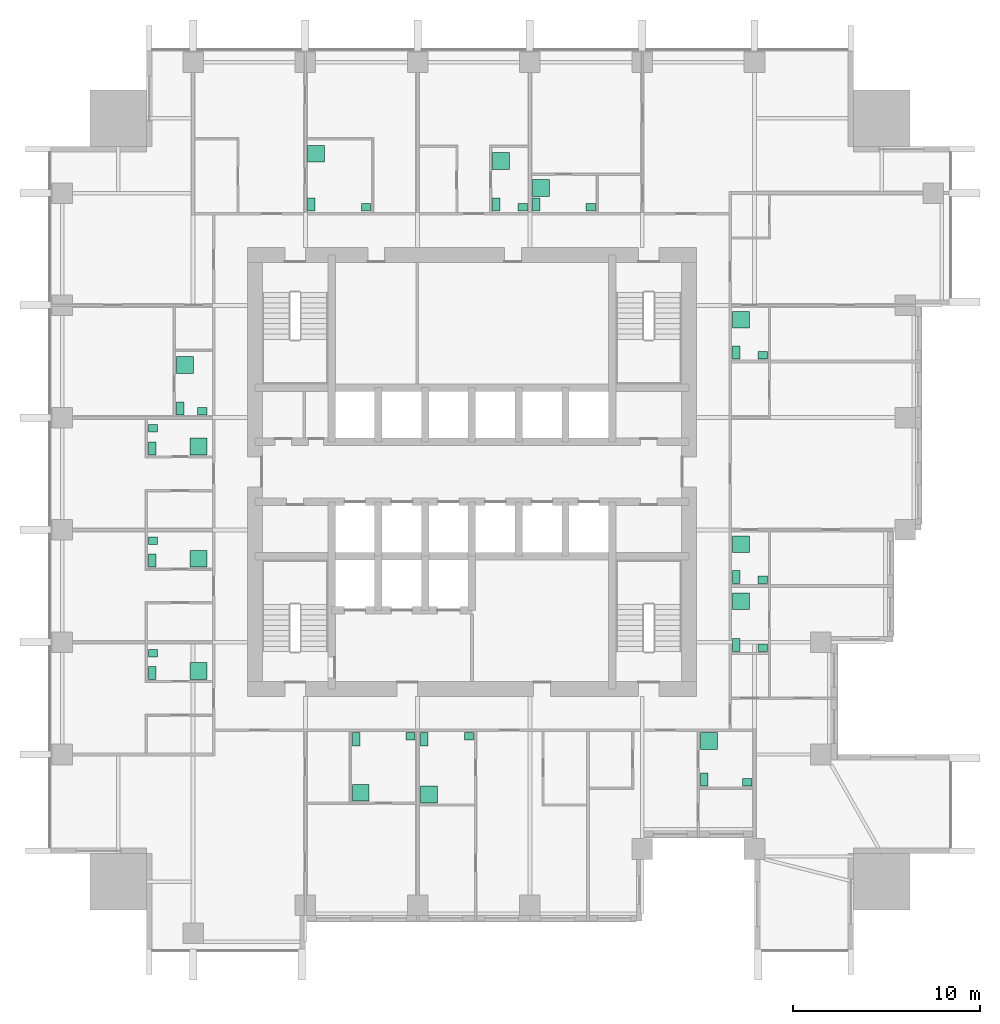
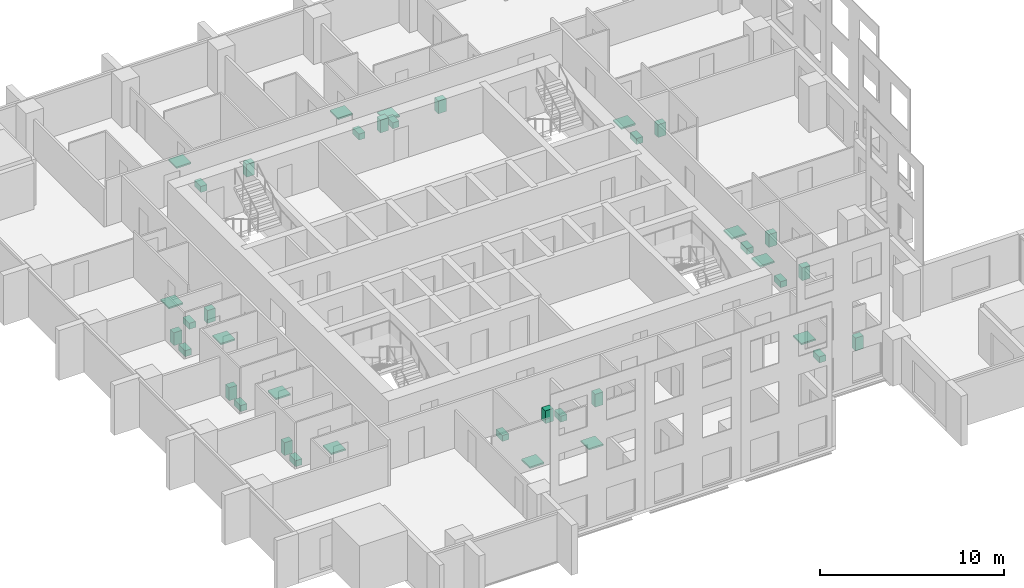
# One storey, part 11 of 11: 39 sanitary terminals.
"""IFC4 building model written with IfcOpenShell, lengths in metres."""

from ifc_helpers import new_model, si_unit, direction, frame, origin, origin_2d, place, context, subcontext, project, spatial, rectangle, extrude, element, save


model = new_model("IFC4")

# Units and contexts
model_context = context("Model", 3, precision=1e-05, world=origin(), true_north=direction((0.0, 1.0)))
body_context = subcontext(model_context, "Body", "Model", "MODEL_VIEW")
ifc_project = project(units=[si_unit("LENGTHUNIT", "METRE"), si_unit("AREAUNIT", "SQUARE_METRE"), si_unit("VOLUMEUNIT", "CUBIC_METRE"), si_unit("PLANEANGLEUNIT", "RADIAN"), si_unit("MASSUNIT", "GRAM", prefix="KILO")], contexts=[model_context])

# Site, building, storey
site_placement = place(None, origin())
site = spatial("IfcSite", under=ifc_project, at=site_placement, CompositionType="ELEMENT")
building_placement = place(site_placement, origin())
building = spatial("IfcBuilding", under=site, at=building_placement, Name="Amberfall Residences", CompositionType="ELEMENT")
storey_placement = place(building_placement, frame((0.0, 0.0, 98.5)))
storey = spatial("IfcBuildingStorey", under=building, at=storey_placement, Name="L26", CompositionType="ELEMENT", Elevation=98.5)

# Sanitary terminals
sanitary_terminal_1_placement = place(storey_placement, frame((68.31005859375, 31.215087890625, 0.0), z_axis=(0.0, 0.0, 1.0), x_axis=(1.0, 0.0, 0.0)))
element("IfcSanitaryTerminal", 1, at=sanitary_terminal_1_placement, inside=storey, Name="Water closet 2601", PredefinedType="TOILETPAN", context=body_context, shape_type="SweptSolid", body=[
    extrude(rectangle(XDim=0.39990234375, YDim=0.699951171875, at=origin_2d()), origin(), (0.0, 0.0, 1.0), 0.39990234375),
])
sanitary_terminal_2_placement = place(storey_placement, frame((71.215087890625, 31.364990234375, 0.0), z_axis=(0.0, 0.0, 1.0), x_axis=(1.0, 0.0, 0.0)))
element("IfcSanitaryTerminal", 2, at=sanitary_terminal_2_placement, inside=storey, Name="Basin 2601", PredefinedType="WASHHANDBASIN", context=body_context, shape_type="SweptSolid", body=[
    extrude(rectangle(XDim=0.5, YDim=0.39990234375, at=origin_2d()), origin(), (0.0, 0.0, 1.0), 0.85009765625),
])
sanitary_terminal_3_placement = place(storey_placement, frame((68.56005859375, 28.360107421875, 0.0), z_axis=(0.0, 0.0, 1.0), x_axis=(1.0, 0.0, 0.0)))
element("IfcSanitaryTerminal", 3, at=sanitary_terminal_3_placement, inside=storey, Name="Shower tray 2601", PredefinedType="SHOWER", context=body_context, shape_type="SweptSolid", body=[
    extrude(rectangle(XDim=0.89990234375, YDim=0.89990234375, at=origin_2d()), origin(), (0.0, 0.0, 1.0), 0.10009765625),
])
sanitary_terminal_4_placement = place(storey_placement, frame((71.9599609375, 31.215087890625, 0.0), z_axis=(0.0, 0.0, 1.0), x_axis=(1.0, 0.0, 0.0)))
element("IfcSanitaryTerminal", 4, at=sanitary_terminal_4_placement, inside=storey, Name="Water closet 2602", PredefinedType="TOILETPAN", context=body_context, shape_type="SweptSolid", body=[
    extrude(rectangle(XDim=0.39990234375, YDim=0.699951171875, at=origin_2d()), origin(), (0.0, 0.0, 1.0), 0.39990234375),
])
sanitary_terminal_5_placement = place(storey_placement, frame((74.340087890625, 31.364990234375, 0.0), z_axis=(0.0, 0.0, 1.0), x_axis=(1.0, 0.0, 0.0)))
element("IfcSanitaryTerminal", 5, at=sanitary_terminal_5_placement, inside=storey, Name="Basin 2602", PredefinedType="WASHHANDBASIN", context=body_context, shape_type="SweptSolid", body=[
    extrude(rectangle(XDim=0.5, YDim=0.39990234375, at=origin_2d()), origin(), (0.0, 0.0, 1.0), 0.85009765625),
])
sanitary_terminal_6_placement = place(storey_placement, frame((72.2099609375, 28.260009765625, 0.0), z_axis=(0.0, 0.0, 1.0), x_axis=(1.0, 0.0, 0.0)))
element("IfcSanitaryTerminal", 6, at=sanitary_terminal_6_placement, inside=storey, Name="Shower tray 2602", PredefinedType="SHOWER", context=body_context, shape_type="SweptSolid", body=[
    extrude(rectangle(XDim=0.89990234375, YDim=0.89990234375, at=origin_2d()), origin(), (0.0, 0.0, 1.0), 0.10009765625),
])
sanitary_terminal_7_placement = place(storey_placement, frame((86.909912109375, 29.06005859375, 0.0), z_axis=(0.0, 0.0, 1.0), x_axis=(1.0, 0.0, 0.0)))
element("IfcSanitaryTerminal", 7, at=sanitary_terminal_7_placement, inside=storey, Name="Water closet 2603", PredefinedType="TOILETPAN", context=body_context, shape_type="SweptSolid", body=[
    extrude(rectangle(XDim=0.39990234375, YDim=0.699951171875, at=origin_2d()), origin(), (0.0, 0.0, 1.0), 0.39990234375),
])
sanitary_terminal_8_placement = place(storey_placement, frame((89.215087890625, 28.909912109375, 0.0), z_axis=(0.0, 0.0, 1.0), x_axis=(1.0, 0.0, 0.0)))
element("IfcSanitaryTerminal", 8, at=sanitary_terminal_8_placement, inside=storey, Name="Basin 2603", PredefinedType="WASHHANDBASIN", context=body_context, shape_type="SweptSolid", body=[
    extrude(rectangle(XDim=0.5, YDim=0.39990234375, at=origin_2d()), origin(), (0.0, 0.0, 1.0), 0.85009765625),
])
sanitary_terminal_9_placement = place(storey_placement, frame((87.159912109375, 31.114990234375, 0.0), z_axis=(0.0, 0.0, 1.0), x_axis=(1.0, 0.0, 0.0)))
element("IfcSanitaryTerminal", 9, at=sanitary_terminal_9_placement, inside=storey, Name="Shower tray 2603", PredefinedType="SHOWER", context=body_context, shape_type="SweptSolid", body=[
    extrude(rectangle(XDim=0.89990234375, YDim=0.89990234375, at=origin_2d()), origin(), (0.0, 0.0, 1.0), 0.10009765625),
])
sanitary_terminal_10_placement = place(storey_placement, frame((88.635009765625, 36.260009765625, 0.0), z_axis=(0.0, 0.0, 1.0), x_axis=(1.0, 0.0, 0.0)))
element("IfcSanitaryTerminal", 10, at=sanitary_terminal_10_placement, inside=storey, Name="Water closet 2604", PredefinedType="TOILETPAN", context=body_context, shape_type="SweptSolid", body=[
    extrude(rectangle(XDim=0.39990234375, YDim=0.699951171875, at=origin_2d()), origin(), (0.0, 0.0, 1.0), 0.39990234375),
])
sanitary_terminal_11_placement = place(storey_placement, frame((90.0400390625, 36.110107421875, 0.0), z_axis=(0.0, 0.0, 1.0), x_axis=(1.0, 0.0, 0.0)))
element("IfcSanitaryTerminal", 11, at=sanitary_terminal_11_placement, inside=storey, Name="Basin 2604", PredefinedType="WASHHANDBASIN", context=body_context, shape_type="SweptSolid", body=[
    extrude(rectangle(XDim=0.5, YDim=0.39990234375, at=origin_2d()), origin(), (0.0, 0.0, 1.0), 0.85009765625),
])
sanitary_terminal_12_placement = place(storey_placement, frame((88.885009765625, 38.591796875, 0.0), z_axis=(0.0, 0.0, 1.0), x_axis=(1.0, 0.0, 0.0)))
element("IfcSanitaryTerminal", 12, at=sanitary_terminal_12_placement, inside=storey, Name="Shower tray 2604", PredefinedType="SHOWER", context=body_context, shape_type="SweptSolid", body=[
    extrude(rectangle(XDim=0.89990234375, YDim=0.89990234375, at=origin_2d()), origin(), (0.0, 0.0, 1.0), 0.10009765625),
])
sanitary_terminal_13_placement = place(storey_placement, frame((88.635009765625, 39.885009765625, 0.0), z_axis=(0.0, 0.0, 1.0), x_axis=(1.0, 0.0, 0.0)))
element("IfcSanitaryTerminal", 13, at=sanitary_terminal_13_placement, inside=storey, Name="Water closet 2605", PredefinedType="TOILETPAN", context=body_context, shape_type="SweptSolid", body=[
    extrude(rectangle(XDim=0.39990234375, YDim=0.699951171875, at=origin_2d()), origin(), (0.0, 0.0, 1.0), 0.39990234375),
])
sanitary_terminal_14_placement = place(storey_placement, frame((90.0400390625, 39.735107421875, 0.0), z_axis=(0.0, 0.0, 1.0), x_axis=(1.0, 0.0, 0.0)))
element("IfcSanitaryTerminal", 14, at=sanitary_terminal_14_placement, inside=storey, Name="Basin 2605", PredefinedType="WASHHANDBASIN", context=body_context, shape_type="SweptSolid", body=[
    extrude(rectangle(XDim=0.5, YDim=0.39990234375, at=origin_2d()), origin(), (0.0, 0.0, 1.0), 0.85009765625),
])
sanitary_terminal_15_placement = place(storey_placement, frame((88.885009765625, 41.6337890625, 0.0), z_axis=(0.0, 0.0, 1.0), x_axis=(1.0, 0.0, 0.0)))
element("IfcSanitaryTerminal", 15, at=sanitary_terminal_15_placement, inside=storey, Name="Shower tray 2605", PredefinedType="SHOWER", context=body_context, shape_type="SweptSolid", body=[
    extrude(rectangle(XDim=0.89990234375, YDim=0.89990234375, at=origin_2d()), origin(), (0.0, 0.0, 1.0), 0.10009765625),
])
sanitary_terminal_16_placement = place(storey_placement, frame((88.635009765625, 51.885009765625, 0.0), z_axis=(0.0, 0.0, 1.0), x_axis=(1.0, 0.0, 0.0)))
element("IfcSanitaryTerminal", 16, at=sanitary_terminal_16_placement, inside=storey, Name="Water closet 2606", PredefinedType="TOILETPAN", context=body_context, shape_type="SweptSolid", body=[
    extrude(rectangle(XDim=0.39990234375, YDim=0.699951171875, at=origin_2d()), origin(), (0.0, 0.0, 1.0), 0.39990234375),
])
sanitary_terminal_17_placement = place(storey_placement, frame((90.0400390625, 51.735107421875, 0.0), z_axis=(0.0, 0.0, 1.0), x_axis=(1.0, 0.0, 0.0)))
element("IfcSanitaryTerminal", 17, at=sanitary_terminal_17_placement, inside=storey, Name="Basin 2606", PredefinedType="WASHHANDBASIN", context=body_context, shape_type="SweptSolid", body=[
    extrude(rectangle(XDim=0.5, YDim=0.39990234375, at=origin_2d()), origin(), (0.0, 0.0, 1.0), 0.85009765625),
])
sanitary_terminal_18_placement = place(storey_placement, frame((88.885009765625, 53.6337890625, 0.0), z_axis=(0.0, 0.0, 1.0), x_axis=(1.0, 0.0, 0.0)))
element("IfcSanitaryTerminal", 18, at=sanitary_terminal_18_placement, inside=storey, Name="Shower tray 2606", PredefinedType="SHOWER", context=body_context, shape_type="SweptSolid", body=[
    extrude(rectangle(XDim=0.89990234375, YDim=0.89990234375, at=origin_2d()), origin(), (0.0, 0.0, 1.0), 0.10009765625),
])
sanitary_terminal_19_placement = place(storey_placement, frame((65.909912109375, 59.784912109375, 0.0), z_axis=(0.0, 0.0, 1.0), x_axis=(1.0, 0.0, 0.0)))
element("IfcSanitaryTerminal", 19, at=sanitary_terminal_19_placement, inside=storey, Name="Water closet 2607", PredefinedType="TOILETPAN", context=body_context, shape_type="SweptSolid", body=[
    extrude(rectangle(XDim=0.39990234375, YDim=0.699951171875, at=origin_2d()), origin(), (0.0, 0.0, 1.0), 0.39990234375),
])
sanitary_terminal_20_placement = place(storey_placement, frame((68.840087890625, 59.635009765625, 0.0), z_axis=(0.0, 0.0, 1.0), x_axis=(1.0, 0.0, 0.0)))
element("IfcSanitaryTerminal", 20, at=sanitary_terminal_20_placement, inside=storey, Name="Basin 2607", PredefinedType="WASHHANDBASIN", context=body_context, shape_type="SweptSolid", body=[
    extrude(rectangle(XDim=0.5, YDim=0.39990234375, at=origin_2d()), origin(), (0.0, 0.0, 1.0), 0.85009765625),
])
sanitary_terminal_21_placement = place(storey_placement, frame((66.159912109375, 62.502197265625, 0.0), z_axis=(0.0, 0.0, 1.0), x_axis=(1.0, 0.0, 0.0)))
element("IfcSanitaryTerminal", 21, at=sanitary_terminal_21_placement, inside=storey, Name="Shower tray 2607", PredefinedType="SHOWER", context=body_context, shape_type="SweptSolid", body=[
    extrude(rectangle(XDim=0.89990234375, YDim=0.89990234375, at=origin_2d()), origin(), (0.0, 0.0, 1.0), 0.10009765625),
])
sanitary_terminal_22_placement = place(storey_placement, frame((75.81005859375, 59.784912109375, 0.0), z_axis=(0.0, 0.0, 1.0), x_axis=(1.0, 0.0, 0.0)))
element("IfcSanitaryTerminal", 22, at=sanitary_terminal_22_placement, inside=storey, Name="Water closet 2608", PredefinedType="TOILETPAN", context=body_context, shape_type="SweptSolid", body=[
    extrude(rectangle(XDim=0.39990234375, YDim=0.699951171875, at=origin_2d()), origin(), (0.0, 0.0, 1.0), 0.39990234375),
])
sanitary_terminal_23_placement = place(storey_placement, frame((77.215087890625, 59.635009765625, 0.0), z_axis=(0.0, 0.0, 1.0), x_axis=(1.0, 0.0, 0.0)))
element("IfcSanitaryTerminal", 23, at=sanitary_terminal_23_placement, inside=storey, Name="Basin 2608", PredefinedType="WASHHANDBASIN", context=body_context, shape_type="SweptSolid", body=[
    extrude(rectangle(XDim=0.5, YDim=0.39990234375, at=origin_2d()), origin(), (0.0, 0.0, 1.0), 0.85009765625),
])
sanitary_terminal_24_placement = place(storey_placement, frame((76.06005859375, 62.11669921875, 0.0), z_axis=(0.0, 0.0, 1.0), x_axis=(1.0, 0.0, 0.0)))
element("IfcSanitaryTerminal", 24, at=sanitary_terminal_24_placement, inside=storey, Name="Shower tray 2608", PredefinedType="SHOWER", context=body_context, shape_type="SweptSolid", body=[
    extrude(rectangle(XDim=0.89990234375, YDim=0.89990234375, at=origin_2d()), origin(), (0.0, 0.0, 1.0), 0.10009765625),
])
sanitary_terminal_25_placement = place(storey_placement, frame((77.93505859375, 59.784912109375, 0.0), z_axis=(0.0, 0.0, 1.0), x_axis=(1.0, 0.0, 0.0)))
element("IfcSanitaryTerminal", 25, at=sanitary_terminal_25_placement, inside=storey, Name="Water closet 2609", PredefinedType="TOILETPAN", context=body_context, shape_type="SweptSolid", body=[
    extrude(rectangle(XDim=0.39990234375, YDim=0.699951171875, at=origin_2d()), origin(), (0.0, 0.0, 1.0), 0.39990234375),
])
sanitary_terminal_26_placement = place(storey_placement, frame((80.840087890625, 59.635009765625, 0.0), z_axis=(0.0, 0.0, 1.0), x_axis=(1.0, 0.0, 0.0)))
element("IfcSanitaryTerminal", 26, at=sanitary_terminal_26_placement, inside=storey, Name="Basin 2609", PredefinedType="WASHHANDBASIN", context=body_context, shape_type="SweptSolid", body=[
    extrude(rectangle(XDim=0.5, YDim=0.39990234375, at=origin_2d()), origin(), (0.0, 0.0, 1.0), 0.85009765625),
])
sanitary_terminal_27_placement = place(storey_placement, frame((78.18505859375, 60.680908203125, 0.0), z_axis=(0.0, 0.0, 1.0), x_axis=(1.0, 0.0, 0.0)))
element("IfcSanitaryTerminal", 27, at=sanitary_terminal_27_placement, inside=storey, Name="Shower tray 2609", PredefinedType="SHOWER", context=body_context, shape_type="SweptSolid", body=[
    extrude(rectangle(XDim=0.89990234375, YDim=0.89990234375, at=origin_2d()), origin(), (0.0, 0.0, 1.0), 0.10009765625),
])
sanitary_terminal_28_placement = place(storey_placement, frame((57.409912109375, 34.760009765625, 0.0), z_axis=(0.0, 0.0, 1.0), x_axis=(1.0, 0.0, 0.0)))
element("IfcSanitaryTerminal", 28, at=sanitary_terminal_28_placement, inside=storey, Name="Water closet 2610", PredefinedType="TOILETPAN", context=body_context, shape_type="SweptSolid", body=[
    extrude(rectangle(XDim=0.39990234375, YDim=0.699951171875, at=origin_2d()), origin(), (0.0, 0.0, 1.0), 0.39990234375),
])
sanitary_terminal_29_placement = place(storey_placement, frame((57.4599609375, 35.822509765625, 0.0), z_axis=(0.0, 0.0, 1.0), x_axis=(1.0, 0.0, 0.0)))
element("IfcSanitaryTerminal", 29, at=sanitary_terminal_29_placement, inside=storey, Name="Basin 2610", PredefinedType="WASHHANDBASIN", context=body_context, shape_type="SweptSolid", body=[
    extrude(rectangle(XDim=0.5, YDim=0.39990234375, at=origin_2d()), origin(), (0.0, 0.0, 1.0), 0.85009765625),
])
sanitary_terminal_30_placement = place(storey_placement, frame((59.891845703125, 34.860107421875, 0.0), z_axis=(0.0, 0.0, 1.0), x_axis=(1.0, 0.0, 0.0)))
element("IfcSanitaryTerminal", 30, at=sanitary_terminal_30_placement, inside=storey, Name="Shower tray 2610", PredefinedType="SHOWER", context=body_context, shape_type="SweptSolid", body=[
    extrude(rectangle(XDim=0.89990234375, YDim=0.89990234375, at=origin_2d()), origin(), (0.0, 0.0, 1.0), 0.10009765625),
])
sanitary_terminal_31_placement = place(storey_placement, frame((57.409912109375, 40.760009765625, 0.0), z_axis=(0.0, 0.0, 1.0), x_axis=(1.0, 0.0, 0.0)))
element("IfcSanitaryTerminal", 31, at=sanitary_terminal_31_placement, inside=storey, Name="Water closet 2611", PredefinedType="TOILETPAN", context=body_context, shape_type="SweptSolid", body=[
    extrude(rectangle(XDim=0.39990234375, YDim=0.699951171875, at=origin_2d()), origin(), (0.0, 0.0, 1.0), 0.39990234375),
])
sanitary_terminal_32_placement = place(storey_placement, frame((57.4599609375, 41.822509765625, 0.0), z_axis=(0.0, 0.0, 1.0), x_axis=(1.0, 0.0, 0.0)))
element("IfcSanitaryTerminal", 32, at=sanitary_terminal_32_placement, inside=storey, Name="Basin 2611", PredefinedType="WASHHANDBASIN", context=body_context, shape_type="SweptSolid", body=[
    extrude(rectangle(XDim=0.5, YDim=0.39990234375, at=origin_2d()), origin(), (0.0, 0.0, 1.0), 0.85009765625),
])
sanitary_terminal_33_placement = place(storey_placement, frame((59.891845703125, 40.860107421875, 0.0), z_axis=(0.0, 0.0, 1.0), x_axis=(1.0, 0.0, 0.0)))
element("IfcSanitaryTerminal", 33, at=sanitary_terminal_33_placement, inside=storey, Name="Shower tray 2611", PredefinedType="SHOWER", context=body_context, shape_type="SweptSolid", body=[
    extrude(rectangle(XDim=0.89990234375, YDim=0.89990234375, at=origin_2d()), origin(), (0.0, 0.0, 1.0), 0.10009765625),
])
sanitary_terminal_34_placement = place(storey_placement, frame((57.409912109375, 46.760009765625, 0.0), z_axis=(0.0, 0.0, 1.0), x_axis=(1.0, 0.0, 0.0)))
element("IfcSanitaryTerminal", 34, at=sanitary_terminal_34_placement, inside=storey, Name="Water closet 2612", PredefinedType="TOILETPAN", context=body_context, shape_type="SweptSolid", body=[
    extrude(rectangle(XDim=0.39990234375, YDim=0.699951171875, at=origin_2d()), origin(), (0.0, 0.0, 1.0), 0.39990234375),
])
sanitary_terminal_35_placement = place(storey_placement, frame((57.4599609375, 47.822509765625, 0.0), z_axis=(0.0, 0.0, 1.0), x_axis=(1.0, 0.0, 0.0)))
element("IfcSanitaryTerminal", 35, at=sanitary_terminal_35_placement, inside=storey, Name="Basin 2612", PredefinedType="WASHHANDBASIN", context=body_context, shape_type="SweptSolid", body=[
    extrude(rectangle(XDim=0.5, YDim=0.39990234375, at=origin_2d()), origin(), (0.0, 0.0, 1.0), 0.85009765625),
])
sanitary_terminal_36_placement = place(storey_placement, frame((59.891845703125, 46.860107421875, 0.0), z_axis=(0.0, 0.0, 1.0), x_axis=(1.0, 0.0, 0.0)))
element("IfcSanitaryTerminal", 36, at=sanitary_terminal_36_placement, inside=storey, Name="Shower tray 2612", PredefinedType="SHOWER", context=body_context, shape_type="SweptSolid", body=[
    extrude(rectangle(XDim=0.89990234375, YDim=0.89990234375, at=origin_2d()), origin(), (0.0, 0.0, 1.0), 0.10009765625),
])
sanitary_terminal_37_placement = place(storey_placement, frame((58.909912109375, 48.885009765625, 0.0), z_axis=(0.0, 0.0, 1.0), x_axis=(1.0, 0.0, 0.0)))
element("IfcSanitaryTerminal", 37, at=sanitary_terminal_37_placement, inside=storey, Name="Water closet 2613", PredefinedType="TOILETPAN", context=body_context, shape_type="SweptSolid", body=[
    extrude(rectangle(XDim=0.39990234375, YDim=0.699951171875, at=origin_2d()), origin(), (0.0, 0.0, 1.0), 0.39990234375),
])
sanitary_terminal_38_placement = place(storey_placement, frame((60.089111328125, 48.735107421875, 0.0), z_axis=(0.0, 0.0, 1.0), x_axis=(1.0, 0.0, 0.0)))
element("IfcSanitaryTerminal", 38, at=sanitary_terminal_38_placement, inside=storey, Name="Basin 2613", PredefinedType="WASHHANDBASIN", context=body_context, shape_type="SweptSolid", body=[
    extrude(rectangle(XDim=0.5, YDim=0.39990234375, at=origin_2d()), origin(), (0.0, 0.0, 1.0), 0.85009765625),
])
sanitary_terminal_39_placement = place(storey_placement, frame((59.159912109375, 51.216796875, 0.0), z_axis=(0.0, 0.0, 1.0), x_axis=(1.0, 0.0, 0.0)))
element("IfcSanitaryTerminal", 39, at=sanitary_terminal_39_placement, inside=storey, Name="Shower tray 2613", PredefinedType="SHOWER", context=body_context, shape_type="SweptSolid", body=[
    extrude(rectangle(XDim=0.89990234375, YDim=0.89990234375, at=origin_2d()), origin(), (0.0, 0.0, 1.0), 0.10009765625),
])

save(model, "model.ifc")
